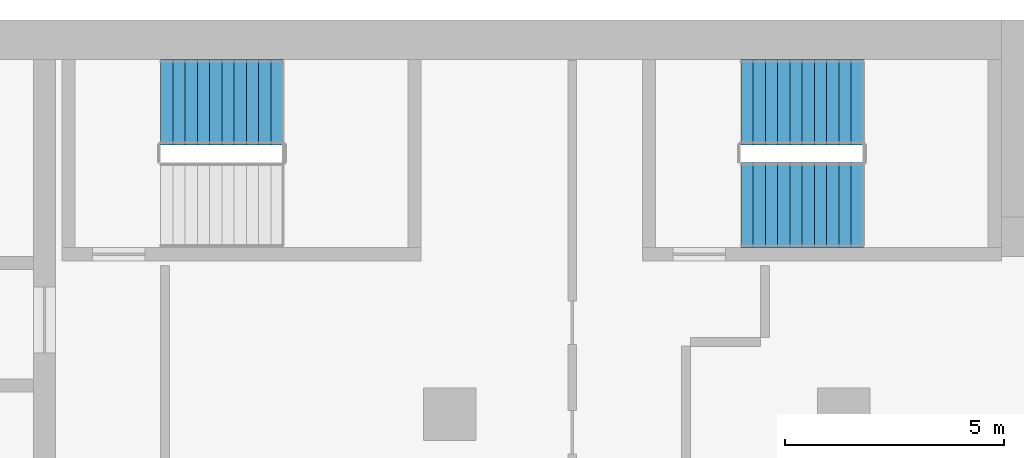
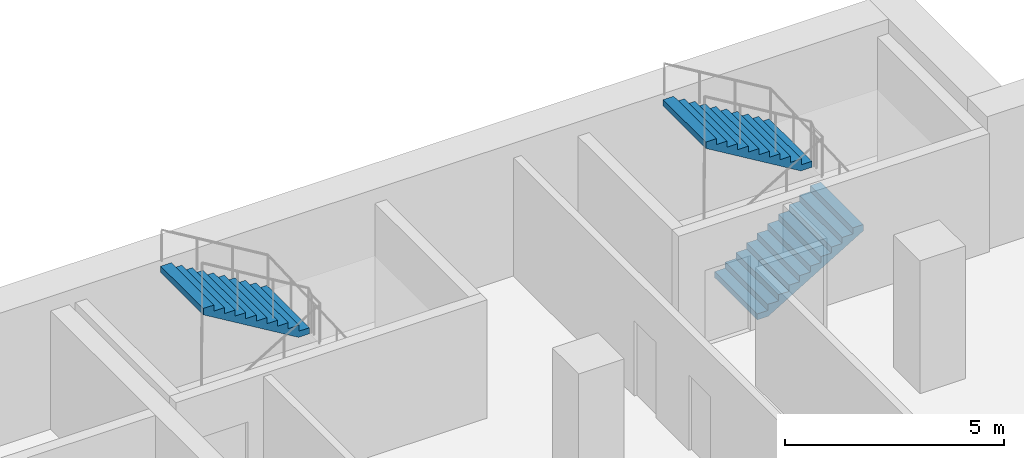
# One storey, part 18 of 23: 3 stair flights, 2 elements without a shape of their own.
"""IFC4 building model written with IfcOpenShell, lengths in metres."""

import ifcopenshell
import ifcopenshell.guid

model = None  # the IFC model being written
_history = None  # IfcOwnerHistory: only IFC2X3 demands one
_inside = {}  # id of a spatial element -> (the spatial element, [elements in it])
_under = {}  # id of a project, library or spatial element -> (it, [spatial elements below it])
_declared = {}  # id of a project -> (the project, [libraries it declares])
_typed = {}  # id of a type object -> (the type object, [elements of that type])
_made_of = {}  # id of a material, layer set ... -> (it, [elements and type objects made of it])


def new_model(schema):
    """Start an empty IFC model of exactly this schema.

    Asked for "IFC4X3", IfcOpenShell would pick the latest addendum, in which some entities
    have other attributes; the version numbers below select the first issue.
    IFC2X3 requires an IfcOwnerHistory on every rooted entity: one is made here for all.
    """
    global model, _history
    if schema == "IFC4X3":
        model = ifcopenshell.file(schema_version=(4, 3, 0, 0))
    else:
        model = ifcopenshell.file(schema=schema)
    _inside.clear()
    _under.clear()
    _declared.clear()
    _typed.clear()
    _made_of.clear()
    _history = None
    if model.schema == "IFC2X3":
        org = make("IfcOrganization", Name="unknown")
        user = make(
            "IfcPersonAndOrganization",
            ThePerson=make("IfcPerson", FamilyName="unknown"),
            TheOrganization=org,
        )
        app = make(
            "IfcApplication",
            ApplicationDeveloper=org,
            Version="unknown",
            ApplicationFullName="unknown",
            ApplicationIdentifier="unknown",
        )
        _history = make(
            "IfcOwnerHistory",
            OwningUser=user,
            OwningApplication=app,
            ChangeAction="ADDED",
            CreationDate=0,
        )
    return model


def make(cls, **values):
    """One entity of the class cls with the attributes given. An attribute that is None is left unset."""
    return model.create_entity(
        cls, **{name: value for name, value in values.items() if value is not None}
    )


def rooted(cls, **values):
    """An entity with a GlobalId (a new one), such as an element, a storey or a relation."""
    return make(cls, GlobalId=ifcopenshell.guid.new(), OwnerHistory=_history, **values)


def si_unit(unit_type, name, prefix=None):
    """IfcSIUnit, for example si_unit("LENGTHUNIT", "METRE", prefix="MILLI")."""
    return make("IfcSIUnit", UnitType=unit_type, Prefix=prefix, Name=name)


def assignment(units):
    """IfcUnitAssignment: the units of a project."""
    return None if units is None else make("IfcUnitAssignment", Units=units)


def point(xyz):
    """IfcCartesianPoint."""
    return None if xyz is None else make("IfcCartesianPoint", Coordinates=xyz)


def direction(xyz):
    """IfcDirection."""
    return None if xyz is None else make("IfcDirection", DirectionRatios=xyz)


def frame(location, z_axis=None, x_axis=None):
    """IfcAxis2Placement3D, a coordinate frame: its origin and axes. An axis left out is left unset."""
    return make(
        "IfcAxis2Placement3D",
        Location=point(location),
        Axis=direction(z_axis),
        RefDirection=direction(x_axis),
    )


def origin():
    """The frame at (0, 0, 0) with its axes left unset."""
    return frame((0.0, 0.0, 0.0))


def place(relative_to, where):
    """IfcLocalPlacement: puts the frame where relative to a parent placement (None: the world)."""
    return make(
        "IfcLocalPlacement", PlacementRelTo=relative_to, RelativePlacement=where
    )


def context(
    kind, dimensions, precision=None, world=None, true_north=None, identifier=None
):
    """IfcGeometricRepresentationContext, for example the 3D "Model" context."""
    return make(
        "IfcGeometricRepresentationContext",
        ContextIdentifier=identifier,
        ContextType=kind,
        CoordinateSpaceDimension=dimensions,
        Precision=precision,
        WorldCoordinateSystem=world,
        TrueNorth=true_north,
    )


def subcontext(parent, identifier, kind, view, scale=None):
    """IfcGeometricRepresentationSubContext, for example "Body" below "Model"."""
    return make(
        "IfcGeometricRepresentationSubContext",
        ContextIdentifier=identifier,
        ContextType=kind,
        ParentContext=parent,
        TargetScale=scale,
        TargetView=view,
    )


def project(units=None, contexts=None):
    """IfcProject with its units and contexts."""
    return rooted(
        "IfcProject",
        Name="project",
        RepresentationContexts=contexts,
        UnitsInContext=assignment(units),
    )


def spatial(cls, under=None, at=None, **own):
    """A site, building, storey or space (cls), placed at a placement, below another one or the project."""
    s = rooted(cls, ObjectPlacement=at, **own)
    if under is not None:
        _under.setdefault(under.id(), (under, []))[1].append(s)
    return s


def polyline(points):
    """IfcPolyline through the points."""
    return make("IfcPolyline", Points=[point(p) for p in points])


def outline(outer, holes=None, kind="AREA"):
    """IfcArbitraryClosedProfileDef: a profile drawn as a closed curve; with holes, ...WithVoids."""
    if holes is None:
        return make("IfcArbitraryClosedProfileDef", ProfileType=kind, OuterCurve=outer)
    return make(
        "IfcArbitraryProfileDefWithVoids",
        ProfileType=kind,
        OuterCurve=outer,
        InnerCurves=holes,
    )


def extrude(swept, where, along, depth):
    """IfcExtrudedAreaSolid: the profile swept, set in the frame where, extruded along a direction by depth."""
    return make(
        "IfcExtrudedAreaSolid",
        SweptArea=swept,
        Position=where,
        ExtrudedDirection=direction(along),
        Depth=depth,
    )


def shape(context_of_items, identifier, shape_type, items):
    """IfcShapeRepresentation: the items that make up one representation, for example the "Body"."""
    return make(
        "IfcShapeRepresentation",
        ContextOfItems=context_of_items,
        RepresentationIdentifier=identifier,
        RepresentationType=shape_type,
        Items=items,
    )


def material(Name=None, Category=None):
    """IfcMaterial."""
    return make("IfcMaterial", Name=Name, Category=Category)


def made_of(thing, what):
    """Note that an element or type object is made of a material, layer set ...; save() writes the relation."""
    if what is not None:
        _made_of.setdefault(what.id(), (what, []))[1].append(thing)
    return thing


def type_object(cls, material=None, **own):
    """A type object (cls), such as IfcWallType, which elements share."""
    return made_of(rooted(cls, **own), material)


def element(
    cls,
    number,
    at=None,
    inside=None,
    cuts=None,
    type_object=None,
    material=None,
    context=None,
    identifier="Body",
    shape_type=None,
    held_by="IfcProductDefinitionShape",
    body=None,
    shapes=None,
    **own,
):
    """One element of the class cls, such as IfcWall. Its Tag is "e" and its number.

    at: its placement. inside: the storey or other place that contains it. cuts: it is an
    opening in that element (IfcRelVoidsElement). A single representation is given by context,
    identifier, shape_type and body (its items); several are given by shapes. held_by: the class
    of the entity that holds the representations. save() writes the other relations.
    """
    e = rooted(cls, Tag="e%d" % number, ObjectPlacement=at, **own)
    if body is not None:
        shapes = [shape(context, identifier, shape_type, body)]
    if shapes is not None:
        e.Representation = make(held_by, Representations=shapes)
    if inside is not None:
        _inside.setdefault(inside.id(), (inside, []))[1].append(e)
    if cuts is not None:
        rooted(
            "IfcRelVoidsElement", RelatingBuildingElement=cuts, RelatedOpeningElement=e
        )
    if type_object is not None:
        _typed.setdefault(type_object.id(), (type_object, []))[1].append(e)
    return made_of(e, material)


def aggregate(whole, parts):
    """IfcRelAggregates: a whole, such as a stair, and the parts it consists of."""
    return rooted("IfcRelAggregates", RelatingObject=whole, RelatedObjects=parts)


def save(model, path):
    """Write the relations noted so far, then the file.

    IfcRelAggregates (storeys below a building ...), IfcRelContainedInSpatialStructure (elements
    in a storey), IfcRelDefinesByType, IfcRelAssociatesMaterial and IfcRelDeclares: one each for
    every whole, place, type object, material and project.
    """
    for whole, parts in _under.values():
        aggregate(whole, parts)
    for where, things in _inside.values():
        rooted(
            "IfcRelContainedInSpatialStructure",
            RelatedElements=things,
            RelatingStructure=where,
        )
    for kind, things in _typed.values():
        rooted("IfcRelDefinesByType", RelatedObjects=things, RelatingType=kind)
    for what, things in _made_of.values():
        rooted("IfcRelAssociatesMaterial", RelatedObjects=things, RelatingMaterial=what)
    for by, libraries in _declared.values():
        rooted("IfcRelDeclares", RelatingContext=by, RelatedDefinitions=libraries)
    model.write(path)


model = new_model("IFC4")

# Units and contexts
model_context = context("Model", 3, precision=1e-05, world=origin(), true_north=direction((0.0, 1.0)))
body_context = subcontext(model_context, "Body", "Model", "MODEL_VIEW")
ifc_project = project(units=[si_unit("LENGTHUNIT", "METRE"), si_unit("AREAUNIT", "SQUARE_METRE"), si_unit("VOLUMEUNIT", "CUBIC_METRE"), si_unit("PLANEANGLEUNIT", "RADIAN"), si_unit("MASSUNIT", "GRAM", prefix="KILO")], contexts=[model_context])

# Site, building, storey
site_placement = place(None, origin())
site = spatial("IfcSite", under=ifc_project, at=site_placement, CompositionType="ELEMENT")
building_placement = place(site_placement, origin())
building = spatial("IfcBuilding", under=site, at=building_placement, Name="Hunhe Ridgeline Campus", CompositionType="ELEMENT")
storey_placement = place(building_placement, frame((0.0, 0.0, 170.800048828125)))
storey = spatial("IfcBuildingStorey", under=building, at=storey_placement, Name="L43", CompositionType="ELEMENT", Elevation=170.800048828125)

# Stair, stair flight
ifc_material = material(Name="Concrete C40", Category="concrete")
stair_type = type_object("IfcStairType", Name="Reinforced concrete dog-leg stair 1950 Concrete C40", PredefinedType="HALF_TURN_STAIR", material=ifc_material)
stair_1_placement = place(storey_placement, origin())
stair_1 = element("IfcStair", 1, at=stair_1_placement, inside=storey, type_object=stair_type, Name="L43 E1", PredefinedType="HALF_TURN_STAIR")
stair_flight_type = type_object("IfcStairFlightType", Name="Reinforced concrete stair flight 1950 Concrete C40", PredefinedType="STRAIGHT", material=ifc_material)
stair_flight_1_placement = place(storey_placement, frame((41.199951171875, 97.125, 1.849853515625), z_axis=(0.0, 0.0, 1.0), x_axis=(-1.0, 0.0, 0.0)))
stair_flight_1 = element("IfcStairFlight", 2, at=stair_flight_1_placement, type_object=stair_flight_type, Name="ST5 flight 2", NumberOfRisers=11, NumberOfTreads=10, PredefinedType="STRAIGHT", RiserHeight=0.168181818, TreadLength=0.28, context=body_context, shape_type="SweptSolid", body=[
    extrude(outline(polyline([(0.0, 0.0), (0.0, 0.168212890625), (0.280029296875, 0.168212890625), (0.280029296875, 0.33642578125), (0.56005859375, 0.33642578125), (0.56005859375, 0.504638671875), (0.840087890625, 0.504638671875), (0.840087890625, 0.672607421875), (1.1201171875, 0.672607421875), (1.1201171875, 0.8408203125), (1.39990234375, 0.8408203125), (1.39990234375, 1.009033203125), (1.679931640625, 1.009033203125), (1.679931640625, 1.17724609375), (1.9599609375, 1.17724609375), (1.9599609375, 1.345458984375), (2.239990234375, 1.345458984375), (2.239990234375, 1.513671875), (2.52001953125, 1.513671875), (2.52001953125, 1.681884765625), (2.800048828125, 1.681884765625), (2.800048828125, 1.85009765625), (2.800048828125, 1.5068359375), (0.291015625, 0.0), (0.0, 0.0)])), frame((0.0, 0.97509765625, 0.0), z_axis=(0.0, -1.0, 0.0), x_axis=(1.0, 0.0, 0.0)), (0.0, 0.0, 1.0), 1.949951171875),
    extrude(outline(polyline([(0.030029296875, 0.030029296875), (0.030029296875, 0.13818359375), (0.31005859375, 0.13818359375), (0.31005859375, 0.306396484375), (0.590087890625, 0.306396484375), (0.590087890625, 0.474609375), (0.8701171875, 0.474609375), (0.8701171875, 0.642578125), (1.14990234375, 0.642578125), (1.14990234375, 0.810791015625), (1.429931640625, 0.810791015625), (1.429931640625, 0.97900390625), (1.7099609375, 0.97900390625), (1.7099609375, 1.147216796875), (1.989990234375, 1.147216796875), (1.989990234375, 1.3154296875), (2.27001953125, 1.3154296875), (2.27001953125, 1.483642578125), (2.550048828125, 1.483642578125), (2.550048828125, 1.65185546875), (2.77001953125, 1.65185546875), (2.77001953125, 1.52392578125), (0.28271484375, 0.030029296875), (0.030029296875, 0.030029296875)])), frame((0.0, -0.070068359375, 0.0), z_axis=(0.0, -1.0, 0.0), x_axis=(1.0, 0.0, 0.0)), (0.0, 0.0, 1.0), 0.019775390625),
    extrude(outline(polyline([(0.030029296875, 0.030029296875), (0.030029296875, 0.13818359375), (0.31005859375, 0.13818359375), (0.31005859375, 0.306396484375), (0.590087890625, 0.306396484375), (0.590087890625, 0.474609375), (0.8701171875, 0.474609375), (0.8701171875, 0.642578125), (1.14990234375, 0.642578125), (1.14990234375, 0.810791015625), (1.429931640625, 0.810791015625), (1.429931640625, 0.97900390625), (1.7099609375, 0.97900390625), (1.7099609375, 1.147216796875), (1.989990234375, 1.147216796875), (1.989990234375, 1.3154296875), (2.27001953125, 1.3154296875), (2.27001953125, 1.483642578125), (2.550048828125, 1.483642578125), (2.550048828125, 1.65185546875), (2.77001953125, 1.65185546875), (2.77001953125, 1.52392578125), (0.28271484375, 0.030029296875), (0.030029296875, 0.030029296875)])), frame((0.0, 0.010009765625, 0.0), z_axis=(0.0, -1.0, 0.0), x_axis=(1.0, 0.0, 0.0)), (0.0, 0.0, 1.0), 0.019775390625),
    extrude(outline(polyline([(0.030029296875, 0.030029296875), (0.030029296875, 0.13818359375), (0.31005859375, 0.13818359375), (0.31005859375, 0.306396484375), (0.590087890625, 0.306396484375), (0.590087890625, 0.474609375), (0.8701171875, 0.474609375), (0.8701171875, 0.642578125), (1.14990234375, 0.642578125), (1.14990234375, 0.810791015625), (1.429931640625, 0.810791015625), (1.429931640625, 0.97900390625), (1.7099609375, 0.97900390625), (1.7099609375, 1.147216796875), (1.989990234375, 1.147216796875), (1.989990234375, 1.3154296875), (2.27001953125, 1.3154296875), (2.27001953125, 1.483642578125), (2.550048828125, 1.483642578125), (2.550048828125, 1.65185546875), (2.77001953125, 1.65185546875), (2.77001953125, 1.52392578125), (0.28271484375, 0.030029296875), (0.030029296875, 0.030029296875)])), frame((0.0, 0.090087890625, 0.0), z_axis=(0.0, -1.0, 0.0), x_axis=(1.0, 0.0, 0.0)), (0.0, 0.0, 1.0), 0.019775390625),
])
aggregate(stair_1, [stair_flight_1])

# Stair, stair flights
stair_2_placement = place(storey_placement, origin())
stair_2 = element("IfcStair", 3, at=stair_2_placement, inside=storey, type_object=stair_type, Name="L43 E2", PredefinedType="HALF_TURN_STAIR")
stair_flight_2_placement = place(storey_placement, frame((51.64990234375, 94.77490234375, 0.0), z_axis=(0.0, 0.0, 1.0), x_axis=(1.0, 0.0, 0.0)))
stair_flight_2 = element("IfcStairFlight", 4, at=stair_flight_2_placement, type_object=stair_flight_type, Name="ST6 flight 1", NumberOfRisers=11, NumberOfTreads=10, PredefinedType="STRAIGHT", RiserHeight=0.168181818, TreadLength=0.28, context=body_context, shape_type="SweptSolid", body=[
    extrude(outline(polyline([(0.0, 0.0), (0.0, 0.168212890625), (0.280029296875, 0.168212890625), (0.280029296875, 0.33642578125), (0.56005859375, 0.33642578125), (0.56005859375, 0.504638671875), (0.840087890625, 0.504638671875), (0.840087890625, 0.672607421875), (1.1201171875, 0.672607421875), (1.1201171875, 0.8408203125), (1.39990234375, 0.8408203125), (1.39990234375, 1.009033203125), (1.679931640625, 1.009033203125), (1.679931640625, 1.17724609375), (1.9599609375, 1.17724609375), (1.9599609375, 1.345458984375), (2.239990234375, 1.345458984375), (2.239990234375, 1.513671875), (2.52001953125, 1.513671875), (2.52001953125, 1.681884765625), (2.800048828125, 1.681884765625), (2.800048828125, 1.85009765625), (2.800048828125, 1.5068359375), (0.291015625, 0.0), (0.0, 0.0)])), frame((0.0, 0.97509765625, 0.0), z_axis=(0.0, -1.0, 0.0), x_axis=(1.0, 0.0, 0.0)), (0.0, 0.0, 1.0), 1.949951171875),
    extrude(outline(polyline([(0.030029296875, 0.030029296875), (0.030029296875, 0.13818359375), (0.31005859375, 0.13818359375), (0.31005859375, 0.306396484375), (0.590087890625, 0.306396484375), (0.590087890625, 0.474609375), (0.8701171875, 0.474609375), (0.8701171875, 0.642578125), (1.14990234375, 0.642578125), (1.14990234375, 0.810791015625), (1.429931640625, 0.810791015625), (1.429931640625, 0.97900390625), (1.7099609375, 0.97900390625), (1.7099609375, 1.147216796875), (1.989990234375, 1.147216796875), (1.989990234375, 1.3154296875), (2.27001953125, 1.3154296875), (2.27001953125, 1.483642578125), (2.550048828125, 1.483642578125), (2.550048828125, 1.65185546875), (2.77001953125, 1.65185546875), (2.77001953125, 1.52392578125), (0.28271484375, 0.030029296875), (0.030029296875, 0.030029296875)])), frame((0.0, -0.070068359375, 0.0), z_axis=(0.0, -1.0, 0.0), x_axis=(1.0, 0.0, 0.0)), (0.0, 0.0, 1.0), 0.019775390625),
    extrude(outline(polyline([(0.030029296875, 0.030029296875), (0.030029296875, 0.13818359375), (0.31005859375, 0.13818359375), (0.31005859375, 0.306396484375), (0.590087890625, 0.306396484375), (0.590087890625, 0.474609375), (0.8701171875, 0.474609375), (0.8701171875, 0.642578125), (1.14990234375, 0.642578125), (1.14990234375, 0.810791015625), (1.429931640625, 0.810791015625), (1.429931640625, 0.97900390625), (1.7099609375, 0.97900390625), (1.7099609375, 1.147216796875), (1.989990234375, 1.147216796875), (1.989990234375, 1.3154296875), (2.27001953125, 1.3154296875), (2.27001953125, 1.483642578125), (2.550048828125, 1.483642578125), (2.550048828125, 1.65185546875), (2.77001953125, 1.65185546875), (2.77001953125, 1.52392578125), (0.28271484375, 0.030029296875), (0.030029296875, 0.030029296875)])), frame((0.0, 0.010009765625, 0.0), z_axis=(0.0, -1.0, 0.0), x_axis=(1.0, 0.0, 0.0)), (0.0, 0.0, 1.0), 0.019775390625),
    extrude(outline(polyline([(0.030029296875, 0.030029296875), (0.030029296875, 0.13818359375), (0.31005859375, 0.13818359375), (0.31005859375, 0.306396484375), (0.590087890625, 0.306396484375), (0.590087890625, 0.474609375), (0.8701171875, 0.474609375), (0.8701171875, 0.642578125), (1.14990234375, 0.642578125), (1.14990234375, 0.810791015625), (1.429931640625, 0.810791015625), (1.429931640625, 0.97900390625), (1.7099609375, 0.97900390625), (1.7099609375, 1.147216796875), (1.989990234375, 1.147216796875), (1.989990234375, 1.3154296875), (2.27001953125, 1.3154296875), (2.27001953125, 1.483642578125), (2.550048828125, 1.483642578125), (2.550048828125, 1.65185546875), (2.77001953125, 1.65185546875), (2.77001953125, 1.52392578125), (0.28271484375, 0.030029296875), (0.030029296875, 0.030029296875)])), frame((0.0, 0.090087890625, 0.0), z_axis=(0.0, -1.0, 0.0), x_axis=(1.0, 0.0, 0.0)), (0.0, 0.0, 1.0), 0.019775390625),
])
stair_flight_3_placement = place(storey_placement, frame((54.449951171875, 97.125, 1.849853515625), z_axis=(0.0, 0.0, 1.0), x_axis=(-1.0, 0.0, 0.0)))
stair_flight_3 = element("IfcStairFlight", 5, at=stair_flight_3_placement, type_object=stair_flight_type, Name="ST6 flight 2", NumberOfRisers=11, NumberOfTreads=10, PredefinedType="STRAIGHT", RiserHeight=0.168181818, TreadLength=0.28, context=body_context, shape_type="SweptSolid", body=[
    extrude(outline(polyline([(0.0, 0.0), (0.0, 0.168212890625), (0.280029296875, 0.168212890625), (0.280029296875, 0.33642578125), (0.56005859375, 0.33642578125), (0.56005859375, 0.504638671875), (0.840087890625, 0.504638671875), (0.840087890625, 0.672607421875), (1.1201171875, 0.672607421875), (1.1201171875, 0.8408203125), (1.39990234375, 0.8408203125), (1.39990234375, 1.009033203125), (1.679931640625, 1.009033203125), (1.679931640625, 1.17724609375), (1.9599609375, 1.17724609375), (1.9599609375, 1.345458984375), (2.239990234375, 1.345458984375), (2.239990234375, 1.513671875), (2.52001953125, 1.513671875), (2.52001953125, 1.681884765625), (2.800048828125, 1.681884765625), (2.800048828125, 1.85009765625), (2.800048828125, 1.5068359375), (0.291015625, 0.0), (0.0, 0.0)])), frame((0.0, 0.97509765625, 0.0), z_axis=(0.0, -1.0, 0.0), x_axis=(1.0, 0.0, 0.0)), (0.0, 0.0, 1.0), 1.949951171875),
    extrude(outline(polyline([(0.030029296875, 0.030029296875), (0.030029296875, 0.13818359375), (0.31005859375, 0.13818359375), (0.31005859375, 0.306396484375), (0.590087890625, 0.306396484375), (0.590087890625, 0.474609375), (0.8701171875, 0.474609375), (0.8701171875, 0.642578125), (1.14990234375, 0.642578125), (1.14990234375, 0.810791015625), (1.429931640625, 0.810791015625), (1.429931640625, 0.97900390625), (1.7099609375, 0.97900390625), (1.7099609375, 1.147216796875), (1.989990234375, 1.147216796875), (1.989990234375, 1.3154296875), (2.27001953125, 1.3154296875), (2.27001953125, 1.483642578125), (2.550048828125, 1.483642578125), (2.550048828125, 1.65185546875), (2.77001953125, 1.65185546875), (2.77001953125, 1.52392578125), (0.28271484375, 0.030029296875), (0.030029296875, 0.030029296875)])), frame((0.0, -0.070068359375, 0.0), z_axis=(0.0, -1.0, 0.0), x_axis=(1.0, 0.0, 0.0)), (0.0, 0.0, 1.0), 0.019775390625),
    extrude(outline(polyline([(0.030029296875, 0.030029296875), (0.030029296875, 0.13818359375), (0.31005859375, 0.13818359375), (0.31005859375, 0.306396484375), (0.590087890625, 0.306396484375), (0.590087890625, 0.474609375), (0.8701171875, 0.474609375), (0.8701171875, 0.642578125), (1.14990234375, 0.642578125), (1.14990234375, 0.810791015625), (1.429931640625, 0.810791015625), (1.429931640625, 0.97900390625), (1.7099609375, 0.97900390625), (1.7099609375, 1.147216796875), (1.989990234375, 1.147216796875), (1.989990234375, 1.3154296875), (2.27001953125, 1.3154296875), (2.27001953125, 1.483642578125), (2.550048828125, 1.483642578125), (2.550048828125, 1.65185546875), (2.77001953125, 1.65185546875), (2.77001953125, 1.52392578125), (0.28271484375, 0.030029296875), (0.030029296875, 0.030029296875)])), frame((0.0, 0.010009765625, 0.0), z_axis=(0.0, -1.0, 0.0), x_axis=(1.0, 0.0, 0.0)), (0.0, 0.0, 1.0), 0.019775390625),
    extrude(outline(polyline([(0.030029296875, 0.030029296875), (0.030029296875, 0.13818359375), (0.31005859375, 0.13818359375), (0.31005859375, 0.306396484375), (0.590087890625, 0.306396484375), (0.590087890625, 0.474609375), (0.8701171875, 0.474609375), (0.8701171875, 0.642578125), (1.14990234375, 0.642578125), (1.14990234375, 0.810791015625), (1.429931640625, 0.810791015625), (1.429931640625, 0.97900390625), (1.7099609375, 0.97900390625), (1.7099609375, 1.147216796875), (1.989990234375, 1.147216796875), (1.989990234375, 1.3154296875), (2.27001953125, 1.3154296875), (2.27001953125, 1.483642578125), (2.550048828125, 1.483642578125), (2.550048828125, 1.65185546875), (2.77001953125, 1.65185546875), (2.77001953125, 1.52392578125), (0.28271484375, 0.030029296875), (0.030029296875, 0.030029296875)])), frame((0.0, 0.090087890625, 0.0), z_axis=(0.0, -1.0, 0.0), x_axis=(1.0, 0.0, 0.0)), (0.0, 0.0, 1.0), 0.019775390625),
])
aggregate(stair_2, [stair_flight_2, stair_flight_3])

save(model, "model.ifc")
